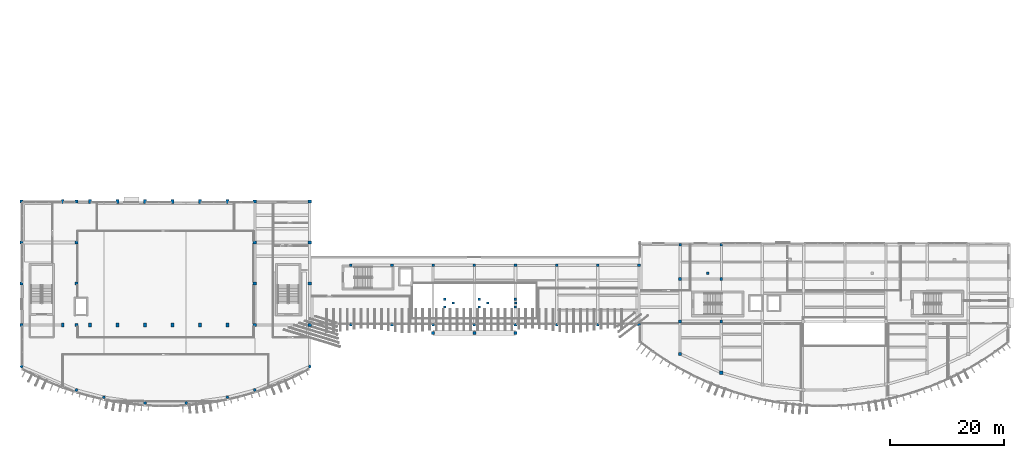
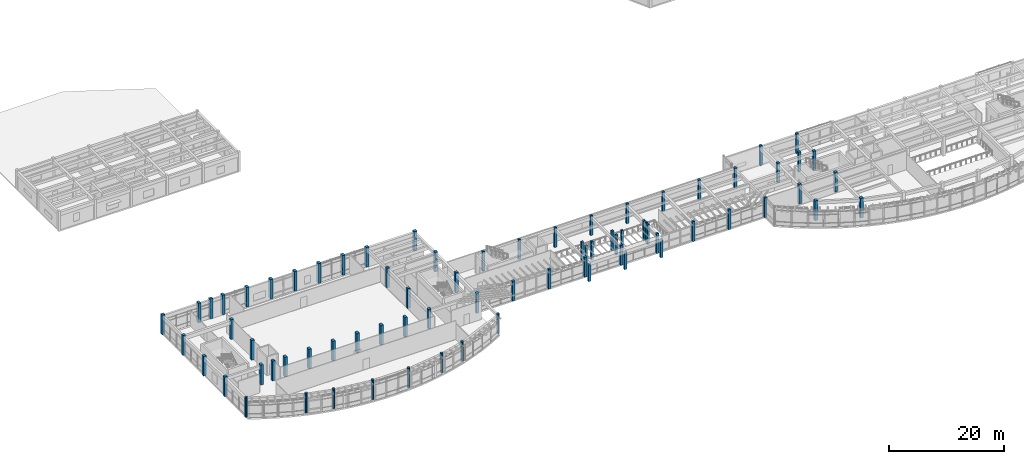
# One storey, part 1 of 60: 75 columns.
"""IFC4 building model written with IfcOpenShell, lengths in metres."""

from ifc_helpers import new_model, si_unit, direction, frame, origin, origin_2d, place, context, subcontext, project, spatial, rectangle, circle, extrude, material, material_profile, profile_set, type_object, element, save


model = new_model("IFC4")

# Units and contexts
model_context = context("Model", 3, precision=1e-05, world=origin(), true_north=direction((0.0, 1.0)))
body_context = subcontext(model_context, "Body", "Model", "MODEL_VIEW")
ifc_project = project(units=[si_unit("LENGTHUNIT", "METRE"), si_unit("AREAUNIT", "SQUARE_METRE"), si_unit("VOLUMEUNIT", "CUBIC_METRE"), si_unit("PLANEANGLEUNIT", "RADIAN"), si_unit("MASSUNIT", "GRAM", prefix="KILO")], contexts=[model_context])

# Site, building, storey
site_placement = place(None, origin())
site = spatial("IfcSite", under=ifc_project, at=site_placement, CompositionType="ELEMENT")
building_placement = place(site_placement, origin())
building = spatial("IfcBuilding", under=site, at=building_placement, Name="Brisavento Harbour Community Centre", CompositionType="ELEMENT")
storey_placement = place(building_placement, frame((0.0, 0.0, 4.5)))
storey = spatial("IfcBuildingStorey", under=building, at=storey_placement, Name="L01", CompositionType="ELEMENT", Elevation=4.5)

# Columns
ifc_material = material(Name="Concrete C35/45", Category="concrete")
ifc_material_profile_1 = material_profile(ifc_material, rectangle(XDim=0.39990234375, YDim=0.39990234375, at=origin_2d()), Name="Concrete C35/45")
ifc_profile_set_1 = profile_set([ifc_material_profile_1], Name="Concrete C35/45")
column_type_1 = type_object("IfcColumnType", Name="COL-RC-400", PredefinedType="COLUMN", material=ifc_profile_set_1)
for number, where, z_axis, x_axis, name in (
    (1, (74.010009765625, 17.510009765625, 0.0), (0.0, 0.0, 1.0), (1.0, 0.0, 0.0), "MST-08 BOT support column 1 L01"),
    (2, (74.010009765625, 18.889892578125, 0.0), (0.0, 0.0, 1.0), (1.0, 0.0, 0.0), "MST-08 BOT support column 2 L01"),
    (3, (75.52001953125, 18.199951171875, 0.0), (0.0, 0.0, 1.0), (1.0, 0.0, 0.0), "MST-08 BOT support column 3 L01"),
):
    element("IfcColumn", number, at=place(storey_placement, frame(where, z_axis=z_axis, x_axis=x_axis)), inside=storey, type_object=column_type_1, Name=name, PredefinedType="COLUMN", context=body_context, shape_type="SweptSolid", body=[
        extrude(rectangle(XDim=0.39990234375, YDim=0.39990234375, at=origin_2d()), origin(), (0.0, 0.0, 1.0), 4.0),
    ])
for number, where, z_axis, x_axis, name in (
    (4, (80.0400390625, 17.510009765625, 0.0), (0.0, 0.0, 1.0), (1.0, 0.0, 0.0), "MST-08 MID support column 1 L01"),
    (5, (80.0400390625, 18.889892578125, 0.0), (0.0, 0.0, 1.0), (1.0, 0.0, 0.0), "MST-08 MID support column 2 L01"),
    (6, (81.550048828125, 18.199951171875, 0.0), (0.0, 0.0, 1.0), (1.0, 0.0, 0.0), "MST-08 MID support column 3 L01"),
    (7, (86.344970703125, 17.510009765625, 0.0), (0.0, 0.0, 1.0), (1.0, 0.0, 0.0), "MST-08 TOP support column 1 L01"),
    (8, (86.344970703125, 18.889892578125, 0.0), (0.0, 0.0, 1.0), (1.0, 0.0, 0.0), "MST-08 TOP support column 2 L01"),
    (9, (86.455078125, 18.199951171875, 0.0), (0.0, 0.0, 1.0), (1.0, 0.0, 0.0), "MST-08 TOP support column 3 L01"),
):
    element("IfcColumn", number, at=place(storey_placement, frame(where, z_axis=z_axis, x_axis=x_axis)), inside=storey, type_object=column_type_1, Name=name, PredefinedType="COLUMN", context=body_context, shape_type="SweptSolid", body=[
        extrude(rectangle(XDim=0.39990234375, YDim=0.39990234375, at=origin_2d()), origin(), (0.0, 0.0, 1.0), 4.199951171875),
    ])
ifc_material_profile_2 = material_profile(ifc_material, rectangle(XDim=0.449951171875, YDim=0.449951171875, at=origin_2d()), Name="Concrete C35/45")
ifc_profile_set_2 = profile_set([ifc_material_profile_2], Name="Concrete C35/45")
column_type_2 = type_object("IfcColumnType", Name="COL-RC-450", PredefinedType="COLUMN", material=ifc_profile_set_2)
for number, where, z_axis, x_axis, name in (
    (10, (57.60009765625, 14.39990234375, 0.0), (0.0, 0.0, 1.0), (1.0, 0.0, 0.0), "L01 column V2S-57"),
    (11, (57.60009765625, 24.800048828125, 0.0), (0.0, 0.0, 1.0), (1.0, 0.0, 0.0), "L01 column V2N-57"),
    (12, (64.800048828125, 14.39990234375, 0.0), (0.0, 0.0, 1.0), (1.0, 0.0, 0.0), "L01 column V2S-64"),
    (13, (64.800048828125, 24.800048828125, 0.0), (0.0, 0.0, 1.0), (1.0, 0.0, 0.0), "L01 column V2N-64"),
    (14, (72.0, 14.39990234375, 0.0), (0.0, 0.0, 1.0), (1.0, 0.0, 0.0), "L01 column V2S-72"),
    (15, (72.0, 24.800048828125, 0.0), (0.0, 0.0, 1.0), (1.0, 0.0, 0.0), "L01 column V2N-72"),
    (16, (79.199951171875, 14.39990234375, 0.0), (0.0, 0.0, 1.0), (1.0, 0.0, 0.0), "L01 column V2S-79"),
    (17, (79.199951171875, 24.800048828125, 0.0), (0.0, 0.0, 1.0), (1.0, 0.0, 0.0), "L01 column V2N-79"),
    (18, (86.39990234375, 14.39990234375, 0.0), (0.0, 0.0, 1.0), (1.0, 0.0, 0.0), "L01 column V2S-86"),
    (19, (86.39990234375, 24.800048828125, 0.0), (0.0, 0.0, 1.0), (1.0, 0.0, 0.0), "L01 column V2N-86"),
    (20, (93.60009765625, 14.39990234375, 0.0), (0.0, 0.0, 1.0), (1.0, 0.0, 0.0), "L01 column V2S-93"),
    (21, (93.60009765625, 24.800048828125, 0.0), (0.0, 0.0, 1.0), (1.0, 0.0, 0.0), "L01 column V2N-93"),
    (22, (100.800048828125, 14.39990234375, 0.0), (0.0, 0.0, 1.0), (1.0, 0.0, 0.0), "L01 column V2S-100"),
    (23, (100.800048828125, 24.800048828125, 0.0), (0.0, 0.0, 1.0), (1.0, 0.0, 0.0), "L01 column V2N-100"),
    (24, (108.0, 14.39990234375, 0.0), (0.0, 0.0, 1.0), (1.0, 0.0, 0.0), "L01 column V2S-108"),
    (25, (108.0, 24.800048828125, 0.0), (0.0, 0.0, 1.0), (1.0, 0.0, 0.0), "L01 column V2N-108"),
    (26, (115.199951171875, 28.39990234375, 0.0), (0.0, 0.0, 1.0), (1.0, 0.0, 0.0), "L01 column V3N2-115"),
    (27, (122.39990234375, 28.39990234375, 0.0), (0.0, 0.0, 1.0), (1.0, 0.0, 0.0), "L01 column V3N2-122"),
    (28, (120.0, 23.39990234375, 0.0), (0.0, 0.0, 1.0), (1.0, 0.0, 0.0), "L01 column V3TER-120"),
):
    element("IfcColumn", number, at=place(storey_placement, frame(where, z_axis=z_axis, x_axis=x_axis)), inside=storey, type_object=column_type_2, Name=name, PredefinedType="COLUMN", context=body_context, shape_type="SweptSolid", body=[
        extrude(rectangle(XDim=0.449951171875, YDim=0.449951171875, at=origin_2d()), origin(), (0.0, 0.0, 1.0), 4.199951171875),
    ])
ifc_material_profile_3 = material_profile(ifc_material, rectangle(XDim=0.5, YDim=0.5, at=origin_2d()), Name="Concrete C35/45")
ifc_profile_set_3 = profile_set([ifc_material_profile_3], Name="Concrete C35/45")
column_type_3 = type_object("IfcColumnType", Name="COL-RC-500", PredefinedType="COLUMN", material=ifc_profile_set_3)
for number, where, z_axis, x_axis, name in (
    (29, (115.199951171875, 15.0, 0.0), (0.0, 0.0, 1.0), (1.0, 0.0, 0.0), "L01 column V3M-115"),
    (30, (115.199951171875, 22.39990234375, 0.0), (0.0, 0.0, 1.0), (1.0, 0.0, 0.0), "L01 column V3N1-115"),
    (31, (122.39990234375, 15.0, 0.0), (0.0, 0.0, 1.0), (1.0, 0.0, 0.0), "L01 column V3M-122"),
    (32, (122.39990234375, 22.39990234375, 0.0), (0.0, 0.0, 1.0), (1.0, 0.0, 0.0), "L01 column V3N1-122"),
):
    element("IfcColumn", number, at=place(storey_placement, frame(where, z_axis=z_axis, x_axis=x_axis)), inside=storey, type_object=column_type_3, Name=name, PredefinedType="COLUMN", context=body_context, shape_type="SweptSolid", body=[
        extrude(rectangle(XDim=0.5, YDim=0.5, at=origin_2d()), origin(), (0.0, 0.0, 1.0), 4.199951171875),
    ])
for number, where, z_axis, x_axis, name in (
    (33, (72.0, 12.949951171875, 0.0), (0.0, 0.0, 1.0), (1.0, 0.0, 0.0), "L01 column V2ARCH-72"),
    (34, (79.199951171875, 12.949951171875, 0.0), (0.0, 0.0, 1.0), (1.0, 0.0, 0.0), "L01 column V2ARCH-79"),
    (35, (86.39990234375, 12.949951171875, 0.0), (0.0, 0.0, 1.0), (1.0, 0.0, 0.0), "L01 column V2ARCH-86"),
):
    element("IfcColumn", number, at=place(storey_placement, frame(where, z_axis=z_axis, x_axis=x_axis)), inside=storey, type_object=column_type_3, Name=name, PredefinedType="COLUMN", context=body_context, shape_type="SweptSolid", body=[
        extrude(rectangle(XDim=0.5, YDim=0.5, at=origin_2d()), origin(), (0.0, 0.0, 1.0), 3.5),
    ])
ifc_material_profile_4 = material_profile(ifc_material, rectangle(XDim=0.550048828125, YDim=0.550048828125, at=origin_2d()), Name="Concrete C35/45")
ifc_profile_set_4 = profile_set([ifc_material_profile_4], Name="Concrete C35/45")
column_type_4 = type_object("IfcColumnType", Name="COL-RC-550", PredefinedType="COLUMN", material=ifc_profile_set_4)
for number, where, z_axis, x_axis, name in (
    (36, (0.0, 14.39990234375, 0.0), (0.0, 0.0, 1.0), (1.0, 0.0, 0.0), "L01 column V1F-0-14"),
    (37, (0.0, 21.60009765625, 0.0), (0.0, 0.0, 1.0), (1.0, 0.0, 0.0), "L01 column V1F-0-22"),
    (38, (0.0, 28.800048828125, 0.0), (0.0, 0.0, 1.0), (1.0, 0.0, 0.0), "L01 column V1F-0-29"),
    (39, (0.0, 36.0, 0.0), (0.0, 0.0, 1.0), (1.0, 0.0, 0.0), "L01 column V1F-0-36"),
    (40, (9.60009765625, 14.39990234375, 0.0), (0.0, 0.0, 1.0), (1.0, 0.0, 0.0), "L01 column V1F-10-14"),
    (41, (9.60009765625, 21.60009765625, 0.0), (0.0, 0.0, 1.0), (1.0, 0.0, 0.0), "L01 column V1F-10-22"),
    (42, (9.60009765625, 28.800048828125, 0.0), (0.0, 0.0, 1.0), (1.0, 0.0, 0.0), "L01 column V1F-10-29"),
    (43, (9.60009765625, 36.0, 0.0), (0.0, 0.0, 1.0), (1.0, 0.0, 0.0), "L01 column V1F-10-36"),
    (44, (40.800048828125, 14.39990234375, 0.0), (0.0, 0.0, 1.0), (1.0, 0.0, 0.0), "L01 column V1F-41-14"),
    (45, (40.800048828125, 21.60009765625, 0.0), (0.0, 0.0, 1.0), (1.0, 0.0, 0.0), "L01 column V1F-41-22"),
    (46, (40.800048828125, 28.800048828125, 0.0), (0.0, 0.0, 1.0), (1.0, 0.0, 0.0), "L01 column V1F-41-29"),
    (47, (40.800048828125, 36.0, 0.0), (0.0, 0.0, 1.0), (1.0, 0.0, 0.0), "L01 column V1F-41-36"),
    (48, (50.39990234375, 14.39990234375, 0.0), (0.0, 0.0, 1.0), (1.0, 0.0, 0.0), "L01 column V1F-50-14"),
    (49, (50.39990234375, 21.60009765625, 0.0), (0.0, 0.0, 1.0), (1.0, 0.0, 0.0), "L01 column V1F-50-22"),
    (50, (50.39990234375, 28.800048828125, 0.0), (0.0, 0.0, 1.0), (1.0, 0.0, 0.0), "L01 column V1F-50-29"),
    (51, (50.39990234375, 36.0, 0.0), (0.0, 0.0, 1.0), (1.0, 0.0, 0.0), "L01 column V1F-50-36"),
    (52, (115.199951171875, 9.31396484375, 0.0), (0.0, 0.0, 1.0), (1.0, 0.0, 0.0), "L01 column V3S-115"),
    (53, (122.39990234375, 6.014892578125, 0.0), (0.0, 0.0, 1.0), (1.0, 0.0, 0.0), "L01 column V3S-122"),
):
    element("IfcColumn", number, at=place(storey_placement, frame(where, z_axis=z_axis, x_axis=x_axis)), inside=storey, type_object=column_type_4, Name=name, PredefinedType="COLUMN", context=body_context, shape_type="SweptSolid", body=[
        extrude(rectangle(XDim=0.550048828125, YDim=0.550048828125, at=origin_2d()), origin(), (0.0, 0.0, 1.0), 4.199951171875),
    ])
ifc_material_profile_5 = material_profile(ifc_material, rectangle(XDim=0.5, YDim=0.699951171875, at=origin_2d()), Name="Concrete C35/45")
ifc_profile_set_5 = profile_set([ifc_material_profile_5], Name="Concrete C35/45")
column_type_5 = type_object("IfcColumnType", Name="COL-RC-700x500", PredefinedType="COLUMN", material=ifc_profile_set_5)
for number, where, z_axis, x_axis, name in (
    (54, (7.199951171875, 14.39990234375, 0.0), (0.0, 0.0, 1.0), (1.0, 0.0, 0.0), "L01 column V1AR-1-14"),
    (55, (7.199951171875, 36.0, 0.0), (0.0, 0.0, 1.0), (1.0, 0.0, 0.0), "L01 column V1AR-1-36"),
    (56, (12.0, 14.39990234375, 0.0), (0.0, 0.0, 1.0), (1.0, 0.0, 0.0), "L01 column V1AR-2-14"),
    (57, (12.0, 36.0, 0.0), (0.0, 0.0, 1.0), (1.0, 0.0, 0.0), "L01 column V1AR-2-36"),
    (58, (16.800048828125, 14.39990234375, 0.0), (0.0, 0.0, 1.0), (1.0, 0.0, 0.0), "L01 column V1AR-3-14"),
    (59, (16.800048828125, 36.0, 0.0), (0.0, 0.0, 1.0), (1.0, 0.0, 0.0), "L01 column V1AR-3-36"),
    (60, (21.60009765625, 14.39990234375, 0.0), (0.0, 0.0, 1.0), (1.0, 0.0, 0.0), "L01 column V1AR-4-14"),
    (61, (21.60009765625, 36.0, 0.0), (0.0, 0.0, 1.0), (1.0, 0.0, 0.0), "L01 column V1AR-4-36"),
    (62, (26.39990234375, 14.39990234375, 0.0), (0.0, 0.0, 1.0), (1.0, 0.0, 0.0), "L01 column V1AR-5-14"),
    (63, (26.39990234375, 36.0, 0.0), (0.0, 0.0, 1.0), (1.0, 0.0, 0.0), "L01 column V1AR-5-36"),
    (64, (31.199951171875, 14.39990234375, 0.0), (0.0, 0.0, 1.0), (1.0, 0.0, 0.0), "L01 column V1AR-6-14"),
    (65, (31.199951171875, 36.0, 0.0), (0.0, 0.0, 1.0), (1.0, 0.0, 0.0), "L01 column V1AR-6-36"),
    (66, (36.0, 14.39990234375, 0.0), (0.0, 0.0, 1.0), (1.0, 0.0, 0.0), "L01 column V1AR-7-14"),
    (67, (36.0, 36.0, 0.0), (0.0, 0.0, 1.0), (1.0, 0.0, 0.0), "L01 column V1AR-7-36"),
):
    element("IfcColumn", number, at=place(storey_placement, frame(where, z_axis=z_axis, x_axis=x_axis)), inside=storey, type_object=column_type_5, Name=name, PredefinedType="COLUMN", context=body_context, shape_type="SweptSolid", body=[
        extrude(rectangle(XDim=0.5, YDim=0.699951171875, at=origin_2d()), origin(), (0.0, 0.0, 1.0), 4.199951171875),
    ])
ifc_material_profile_6 = material_profile(ifc_material, circle(Radius=0.25, at=origin_2d()), Name="Concrete C35/45")
ifc_profile_set_6 = profile_set([ifc_material_profile_6], Name="Concrete C35/45")
column_type_6 = type_object("IfcColumnType", Name="COL-RC-D500", PredefinedType="COLUMN", material=ifc_profile_set_6)
for number, where, z_axis, x_axis, name in (
    (68, (0.0, 7.1142578125, 0.0), (0.0, 0.0, 1.0), (1.0, 0.0, 0.0), "L01 column V1S-1"),
    (69, (9.60009765625, 2.9951171875, 0.0), (0.0, 0.0, 1.0), (1.0, 0.0, 0.0), "L01 column V1S-2"),
    (70, (14.39990234375, 1.73388671875, 0.0), (0.0, 0.0, 1.0), (1.0, 0.0, 0.0), "L01 column V1S-3"),
    (71, (21.60009765625, 0.724853515625, 0.0), (0.0, 0.0, 1.0), (1.0, 0.0, 0.0), "L01 column V1S-4"),
    (72, (28.800048828125, 0.724853515625, 0.0), (0.0, 0.0, 1.0), (1.0, 0.0, 0.0), "L01 column V1S-5"),
    (73, (36.0, 1.73388671875, 0.0), (0.0, 0.0, 1.0), (1.0, 0.0, 0.0), "L01 column V1S-6"),
    (74, (40.800048828125, 2.9951171875, 0.0), (0.0, 0.0, 1.0), (1.0, 0.0, 0.0), "L01 column V1S-7"),
    (75, (50.39990234375, 7.1142578125, 0.0), (0.0, 0.0, 1.0), (1.0, 0.0, 0.0), "L01 column V1S-8"),
):
    element("IfcColumn", number, at=place(storey_placement, frame(where, z_axis=z_axis, x_axis=x_axis)), inside=storey, type_object=column_type_6, Name=name, PredefinedType="COLUMN", context=body_context, shape_type="SweptSolid", body=[
        extrude(circle(Radius=0.25, at=origin_2d()), origin(), (0.0, 0.0, 1.0), 4.199951171875),
    ])

save(model, "model.ifc")
